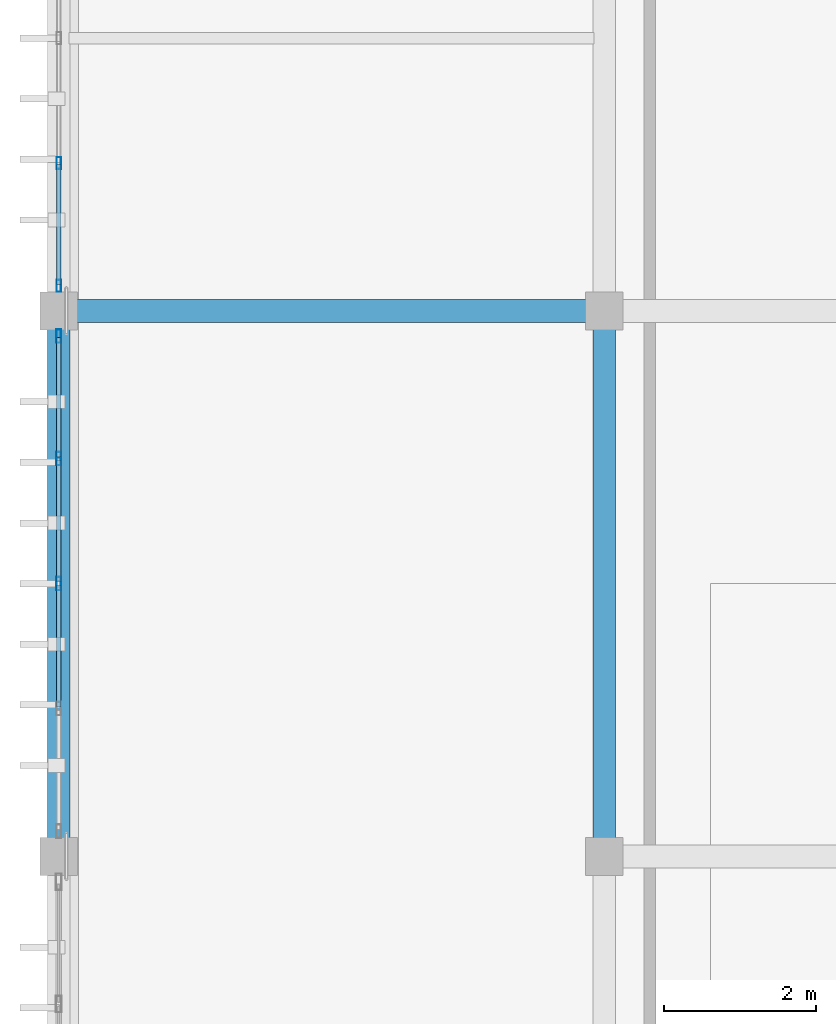
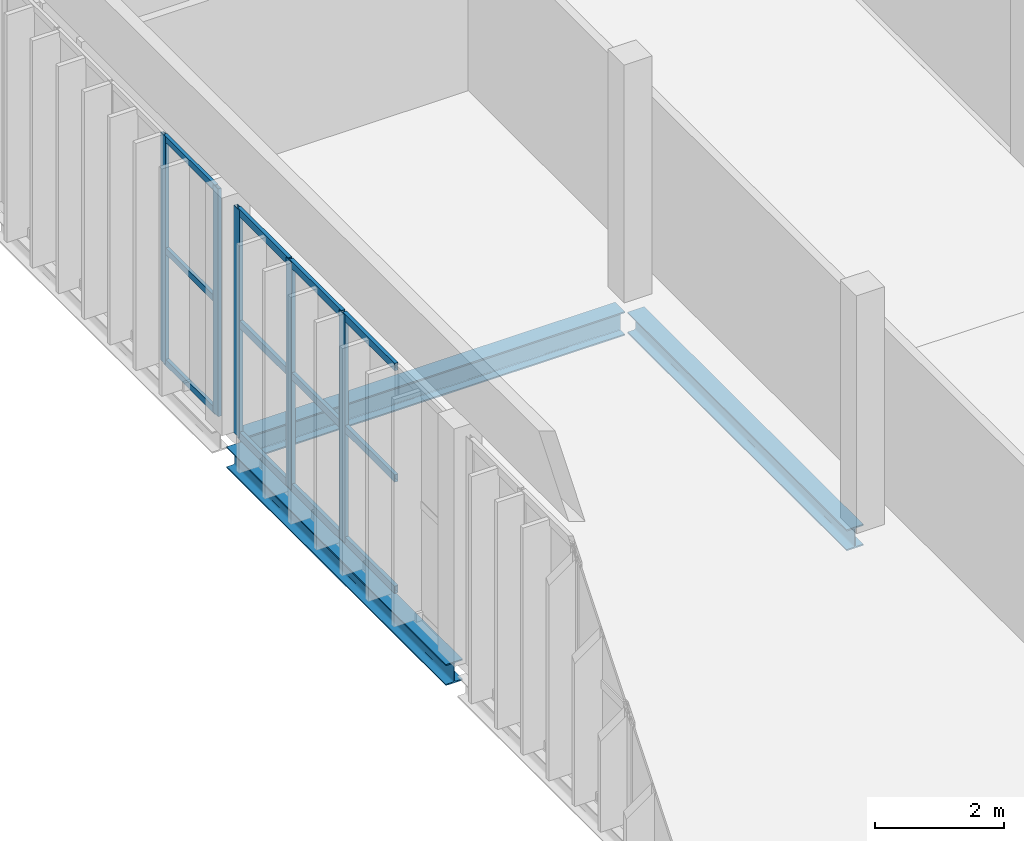
# One storey, part 23 of 64: 17 members, 3 beams, 2 elements without a shape of their own.
"""IFC4 building model written with IfcOpenShell, lengths in metres."""

from ifc_helpers import new_model, si_unit, direction, frame, origin, origin_2d, place, context, subcontext, project, spatial, hollow_rectangle, i_section, extrude, material, material_profile, profile_set, type_object, element, aggregate, save


model = new_model("IFC4")

# Units and contexts
model_context = context("Model", 3, precision=1e-05, world=origin(), true_north=direction((0.0, 1.0)))
body_context = subcontext(model_context, "Body", "Model", "MODEL_VIEW")
ifc_project = project(units=[si_unit("LENGTHUNIT", "METRE"), si_unit("AREAUNIT", "SQUARE_METRE"), si_unit("VOLUMEUNIT", "CUBIC_METRE"), si_unit("PLANEANGLEUNIT", "RADIAN"), si_unit("MASSUNIT", "GRAM", prefix="KILO")], contexts=[model_context])

# Site, building, storey
site_placement = place(None, origin())
site = spatial("IfcSite", under=ifc_project, at=site_placement, CompositionType="ELEMENT")
building_placement = place(site_placement, origin())
building = spatial("IfcBuilding", under=site, at=building_placement, Name="Qandorah Velis Arena", CompositionType="ELEMENT")
storey_placement = place(building_placement, frame((0.0, 0.0, 23.0)))
storey = spatial("IfcBuildingStorey", under=building, at=storey_placement, Name="L05", CompositionType="ELEMENT", Elevation=23.0)

# Curtain wall, members
ifc_material_1 = material(Name="Solar-control low-E double glazing", Category="glass")
curtain_wall_type_1 = type_object("IfcCurtainWallType", Name="ARC-CW-SYS03", PredefinedType="USERDEFINED", material=ifc_material_1)
curtain_wall_1_placement = place(storey_placement, origin())
curtain_wall_1 = element("IfcCurtainWall", 1, at=curtain_wall_1_placement, inside=storey, type_object=curtain_wall_type_1, Name="Unitised curtain wall L05-051", ObjectType="UNITISED CURTAIN WALL", PredefinedType="USERDEFINED")
ifc_material_2 = material(Name="Champagne-bronze anodized aluminium 6063-T6", Category="aluminium")
ifc_material_profile_1 = material_profile(ifc_material_2, hollow_rectangle(XDim=0.06005859375, YDim=0.159912109375, WallThickness=0.00341796875, at=origin_2d()), Name="ALU MULLION 60x160")
ifc_profile_set_1 = profile_set([ifc_material_profile_1], Name="Champagne-bronze anodized aluminium 6063-T6")
member_type_1 = type_object("IfcMemberType", Name="ARC-CWM-160", PredefinedType="MULLION", material=ifc_profile_set_1)
member_1_placement = place(storey_placement, frame((0.0, 93.929931640625, -0.014892578125), z_axis=(0.0, 0.0, 1.0), x_axis=(-1.0, 0.0, 0.0)))
member_1 = element("IfcMember", 2, at=member_1_placement, type_object=member_type_1, Name="CW03 mullion 1", PredefinedType="MULLION", context=body_context, shape_type="SweptSolid", body=[
    extrude(hollow_rectangle(XDim=0.06005859375, YDim=0.159912109375, WallThickness=0.00341796875, at=origin_2d()), origin(), (0.0, 0.0, 1.0), 4.309814453125),
])
member_2_placement = place(storey_placement, frame((0.0, 95.550048828125, -0.014892578125), z_axis=(0.0, 0.0, 1.0), x_axis=(-1.0, 0.0, 0.0)))
member_2 = element("IfcMember", 3, at=member_2_placement, type_object=member_type_1, Name="CW03 mullion 2", PredefinedType="MULLION", context=body_context, shape_type="SweptSolid", body=[
    extrude(hollow_rectangle(XDim=0.06005859375, YDim=0.159912109375, WallThickness=0.00341796875, at=origin_2d()), origin(), (0.0, 0.0, 1.0), 4.309814453125),
])

curtain_wall_type_2 = type_object("IfcCurtainWallType", Name="ARC-CW-SYS02", PredefinedType="USERDEFINED", material=ifc_material_1)
curtain_wall_2_placement = place(storey_placement, origin())
curtain_wall_2 = element("IfcCurtainWall", 4, at=curtain_wall_2_placement, inside=storey, type_object=curtain_wall_type_2, Name="Unitised curtain wall L05-050", ObjectType="UNITISED CURTAIN WALL", PredefinedType="USERDEFINED")
ifc_material_profile_2 = material_profile(ifc_material_2, hollow_rectangle(XDim=0.06494140625, YDim=0.179931640625, WallThickness=0.00341796875, at=origin_2d()), Name="ALU MULLION 65x180")
ifc_profile_set_2 = profile_set([ifc_material_profile_2], Name="Champagne-bronze anodized aluminium 6063-T6")
member_type_2 = type_object("IfcMemberType", Name="ARC-CWM-180", PredefinedType="MULLION", material=ifc_profile_set_2)
member_3_placement = place(storey_placement, frame((0.0, 90.0, -0.014892578125), z_axis=(0.0, 0.0, 1.0), x_axis=(-1.0, 0.0, 0.0)))
member_3 = element("IfcMember", 5, at=member_3_placement, type_object=member_type_2, Name="CW02 mullion 3", PredefinedType="MULLION", context=body_context, shape_type="SweptSolid", body=[
    extrude(hollow_rectangle(XDim=0.06494140625, YDim=0.179931640625, WallThickness=0.00341796875, at=origin_2d()), origin(), (0.0, 0.0, 1.0), 4.309814453125),
])
member_4_placement = place(storey_placement, frame((0.0, 91.64990234375, -0.014892578125), z_axis=(0.0, 0.0, 1.0), x_axis=(-1.0, 0.0, 0.0)))
member_4 = element("IfcMember", 6, at=member_4_placement, type_object=member_type_2, Name="CW02 mullion 4", PredefinedType="MULLION", context=body_context, shape_type="SweptSolid", body=[
    extrude(hollow_rectangle(XDim=0.06494140625, YDim=0.179931640625, WallThickness=0.00341796875, at=origin_2d()), origin(), (0.0, 0.0, 1.0), 4.309814453125),
])
member_5_placement = place(storey_placement, frame((0.0, 93.267578125, -0.014892578125), z_axis=(0.0, 0.0, 1.0), x_axis=(-1.0, 0.0, 0.0)))
member_5 = element("IfcMember", 7, at=member_5_placement, type_object=member_type_2, Name="CW02 mullion 5", PredefinedType="MULLION", context=body_context, shape_type="SweptSolid", body=[
    extrude(hollow_rectangle(XDim=0.06494140625, YDim=0.179931640625, WallThickness=0.00341796875, at=origin_2d()), origin(), (0.0, 0.0, 1.0), 4.309814453125),
])

# Member
ifc_material_profile_3 = material_profile(ifc_material_2, hollow_rectangle(XDim=0.06005859375, YDim=0.1201171875, WallThickness=0.0029296875, at=origin_2d()), Name="ALU TRANSOM 60x120")
ifc_profile_set_3 = profile_set([ifc_material_profile_3], Name="Champagne-bronze anodized aluminium 6063-T6")
member_type_3 = type_object("IfcMemberType", Name="ARC-CWT-120", PredefinedType="USERDEFINED", material=ifc_profile_set_3)
member_6_placement = place(storey_placement, frame((0.0, 93.947998046875, 0.030029296875), z_axis=(0.0, 1.0, 0.0), x_axis=(-1.0, 0.0, 0.0)))
member_6 = element("IfcMember", 8, at=member_6_placement, type_object=member_type_3, Name="CW03 transom 1.1", ObjectType="TRANSOM", PredefinedType="USERDEFINED", context=body_context, shape_type="SweptSolid", body=[
    extrude(hollow_rectangle(XDim=0.06005859375, YDim=0.1201171875, WallThickness=0.0029296875, at=origin_2d()), origin(), (0.0, 0.0, 1.0), 1.583984375),
])

member_7_placement = place(storey_placement, frame((0.0, 93.947998046875, 2.139892578125), z_axis=(0.0, 1.0, 0.0), x_axis=(-1.0, 0.0, 0.0)))
member_7 = element("IfcMember", 9, at=member_7_placement, type_object=member_type_3, Name="CW03 transom 1.2", ObjectType="TRANSOM", PredefinedType="USERDEFINED", context=body_context, shape_type="SweptSolid", body=[
    extrude(hollow_rectangle(XDim=0.06005859375, YDim=0.1201171875, WallThickness=0.0029296875, at=origin_2d()), origin(), (0.0, 0.0, 1.0), 1.583984375),
])

member_8_placement = place(storey_placement, frame((0.0, 93.947998046875, 4.25), z_axis=(0.0, 1.0, 0.0), x_axis=(-1.0, 0.0, 0.0)))
member_8 = element("IfcMember", 10, at=member_8_placement, type_object=member_type_3, Name="CW03 transom 1.3", ObjectType="TRANSOM", PredefinedType="USERDEFINED", context=body_context, shape_type="SweptSolid", body=[
    extrude(hollow_rectangle(XDim=0.06005859375, YDim=0.1201171875, WallThickness=0.0029296875, at=origin_2d()), origin(), (0.0, 0.0, 1.0), 1.583984375),
])

aggregate(curtain_wall_1, [member_1, member_2, member_6, member_7, member_8])

ifc_material_profile_4 = material_profile(ifc_material_2, hollow_rectangle(XDim=0.06494140625, YDim=0.139892578125, WallThickness=0.0029296875, at=origin_2d()), Name="ALU TRANSOM 65x140")
ifc_profile_set_4 = profile_set([ifc_material_profile_4], Name="Champagne-bronze anodized aluminium 6063-T6")
member_type_4 = type_object("IfcMemberType", Name="ARC-CWT-140", PredefinedType="USERDEFINED", material=ifc_profile_set_4)
member_9_placement = place(storey_placement, frame((0.0, 88.37060546875, 0.032470703125), z_axis=(0.0, 1.0, 0.0), x_axis=(-1.0, 0.0, 0.0)))
member_9 = element("IfcMember", 11, at=member_9_placement, type_object=member_type_4, Name="CW02 transom 2.1", ObjectType="TRANSOM", PredefinedType="USERDEFINED", context=body_context, shape_type="SweptSolid", body=[
    extrude(hollow_rectangle(XDim=0.06494140625, YDim=0.139892578125, WallThickness=0.0029296875, at=origin_2d()), origin(), (0.0, 0.0, 1.0), 1.60888671875),
])

member_10_placement = place(storey_placement, frame((0.0, 88.37060546875, 2.139892578125), z_axis=(0.0, 1.0, 0.0), x_axis=(-1.0, 0.0, 0.0)))
member_10 = element("IfcMember", 12, at=member_10_placement, type_object=member_type_4, Name="CW02 transom 2.2", ObjectType="TRANSOM", PredefinedType="USERDEFINED", context=body_context, shape_type="SweptSolid", body=[
    extrude(hollow_rectangle(XDim=0.06494140625, YDim=0.139892578125, WallThickness=0.0029296875, at=origin_2d()), origin(), (0.0, 0.0, 1.0), 1.60888671875),
])

member_11_placement = place(storey_placement, frame((0.0, 88.37060546875, 4.24755859375), z_axis=(0.0, 1.0, 0.0), x_axis=(-1.0, 0.0, 0.0)))
member_11 = element("IfcMember", 13, at=member_11_placement, type_object=member_type_4, Name="CW02 transom 2.3", ObjectType="TRANSOM", PredefinedType="USERDEFINED", context=body_context, shape_type="SweptSolid", body=[
    extrude(hollow_rectangle(XDim=0.06494140625, YDim=0.139892578125, WallThickness=0.0029296875, at=origin_2d()), origin(), (0.0, 0.0, 1.0), 1.60888671875),
])

member_12_placement = place(storey_placement, frame((0.0, 90.0205078125, 0.032470703125), z_axis=(0.0, 1.0, 0.0), x_axis=(-1.0, 0.0, 0.0)))
member_12 = element("IfcMember", 14, at=member_12_placement, type_object=member_type_4, Name="CW02 transom 3.1", ObjectType="TRANSOM", PredefinedType="USERDEFINED", context=body_context, shape_type="SweptSolid", body=[
    extrude(hollow_rectangle(XDim=0.06494140625, YDim=0.139892578125, WallThickness=0.0029296875, at=origin_2d()), origin(), (0.0, 0.0, 1.0), 1.60888671875),
])

member_13_placement = place(storey_placement, frame((0.0, 90.0205078125, 2.139892578125), z_axis=(0.0, 1.0, 0.0), x_axis=(-1.0, 0.0, 0.0)))
member_13 = element("IfcMember", 15, at=member_13_placement, type_object=member_type_4, Name="CW02 transom 3.2", ObjectType="TRANSOM", PredefinedType="USERDEFINED", context=body_context, shape_type="SweptSolid", body=[
    extrude(hollow_rectangle(XDim=0.06494140625, YDim=0.139892578125, WallThickness=0.0029296875, at=origin_2d()), origin(), (0.0, 0.0, 1.0), 1.60888671875),
])

member_14_placement = place(storey_placement, frame((0.0, 90.0205078125, 4.24755859375), z_axis=(0.0, 1.0, 0.0), x_axis=(-1.0, 0.0, 0.0)))
member_14 = element("IfcMember", 16, at=member_14_placement, type_object=member_type_4, Name="CW02 transom 3.3", ObjectType="TRANSOM", PredefinedType="USERDEFINED", context=body_context, shape_type="SweptSolid", body=[
    extrude(hollow_rectangle(XDim=0.06494140625, YDim=0.139892578125, WallThickness=0.0029296875, at=origin_2d()), origin(), (0.0, 0.0, 1.0), 1.60888671875),
])

member_15_placement = place(storey_placement, frame((0.0, 91.67041015625, 0.032470703125), z_axis=(0.0, 1.0, 0.0), x_axis=(-1.0, 0.0, 0.0)))
member_15 = element("IfcMember", 17, at=member_15_placement, type_object=member_type_4, Name="CW02 transom 4.1", ObjectType="TRANSOM", PredefinedType="USERDEFINED", context=body_context, shape_type="SweptSolid", body=[
    extrude(hollow_rectangle(XDim=0.06494140625, YDim=0.139892578125, WallThickness=0.0029296875, at=origin_2d()), origin(), (0.0, 0.0, 1.0), 1.57666015625),
])

member_16_placement = place(storey_placement, frame((0.0, 91.67041015625, 2.139892578125), z_axis=(0.0, 1.0, 0.0), x_axis=(-1.0, 0.0, 0.0)))
member_16 = element("IfcMember", 18, at=member_16_placement, type_object=member_type_4, Name="CW02 transom 4.2", ObjectType="TRANSOM", PredefinedType="USERDEFINED", context=body_context, shape_type="SweptSolid", body=[
    extrude(hollow_rectangle(XDim=0.06494140625, YDim=0.139892578125, WallThickness=0.0029296875, at=origin_2d()), origin(), (0.0, 0.0, 1.0), 1.57666015625),
])

member_17_placement = place(storey_placement, frame((0.0, 91.67041015625, 4.24755859375), z_axis=(0.0, 1.0, 0.0), x_axis=(-1.0, 0.0, 0.0)))
member_17 = element("IfcMember", 19, at=member_17_placement, type_object=member_type_4, Name="CW02 transom 4.3", ObjectType="TRANSOM", PredefinedType="USERDEFINED", context=body_context, shape_type="SweptSolid", body=[
    extrude(hollow_rectangle(XDim=0.06494140625, YDim=0.139892578125, WallThickness=0.0029296875, at=origin_2d()), origin(), (0.0, 0.0, 1.0), 1.57666015625),
])

aggregate(curtain_wall_2, [member_3, member_4, member_5, member_9, member_10, member_11, member_12, member_13, member_14, member_15, member_16, member_17])

# Beams
ifc_material_3 = material(Name="Steel S355", Category="steel")
ifc_material_profile_5 = material_profile(ifc_material_3, i_section(OverallWidth=0.300048828125, OverallDepth=0.39990234375, WebThickness=0.013427734375, FlangeThickness=0.02392578125, FilletRadius=0.027099609375, at=origin_2d()), Name="HEB 400")
ifc_profile_set_5 = profile_set([ifc_material_profile_5], Name="Steel S355")
beam_type_1 = type_object("IfcBeamType", Name="STR-BM-HEB400", PredefinedType="BEAM", material=ifc_profile_set_5)
for number, where, z_axis, x_axis, name in (
    (20, (0.0, 86.57861328125, -0.449951171875), (0.0, 1.0, 0.0), (-1.0, 0.0, 0.0), "Primary floor girder L05 Y-123"),
    (21, (7.199951171875, 86.625, -0.449951171875), (0.0, 1.0, 0.0), (-1.0, 0.0, 0.0), "Primary floor girder L05 Y-135"),
):
    element("IfcBeam", number, at=place(storey_placement, frame(where, z_axis=z_axis, x_axis=x_axis)), inside=storey, type_object=beam_type_1, Name=name, PredefinedType="BEAM", context=body_context, shape_type="SweptSolid", body=[
        extrude(i_section(OverallWidth=0.300048828125, OverallDepth=0.39990234375, WebThickness=0.013427734375, FlangeThickness=0.02392578125, FilletRadius=0.027099609375, at=origin_2d()), origin(), (0.0, 0.0, 1.0), 6.79638671875),
    ])
ifc_material_profile_6 = material_profile(ifc_material_3, i_section(OverallWidth=0.300048828125, OverallDepth=0.449951171875, WebThickness=0.013916015625, FlangeThickness=0.02587890625, FilletRadius=0.027099609375, at=origin_2d()), Name="HEB 450")
ifc_profile_set_6 = profile_set([ifc_material_profile_6], Name="Steel S355")
beam_type_2 = type_object("IfcBeamType", Name="STR-BM-HEB450", PredefinedType="BEAM", material=ifc_profile_set_6)
beam_placement = place(storey_placement, frame((0.22509765625, 93.60009765625, -0.47509765625), z_axis=(1.0, 0.0, 0.0), x_axis=(0.0, 1.0, 0.0)))
element("IfcBeam", 22, at=beam_placement, inside=storey, type_object=beam_type_2, Name="Primary floor girder L05 X-067", PredefinedType="BEAM", context=body_context, shape_type="SweptSolid", body=[
    extrude(i_section(OverallWidth=0.300048828125, OverallDepth=0.449951171875, WebThickness=0.013916015625, FlangeThickness=0.02587890625, FilletRadius=0.027099609375, at=origin_2d()), origin(), (0.0, 0.0, 1.0), 6.79638671875),
])

save(model, "model.ifc")
